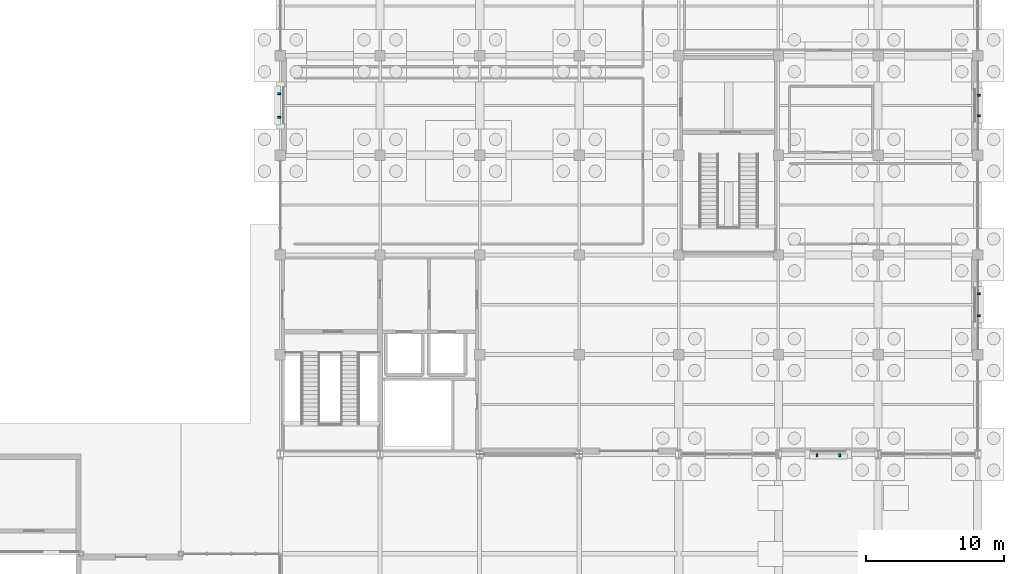
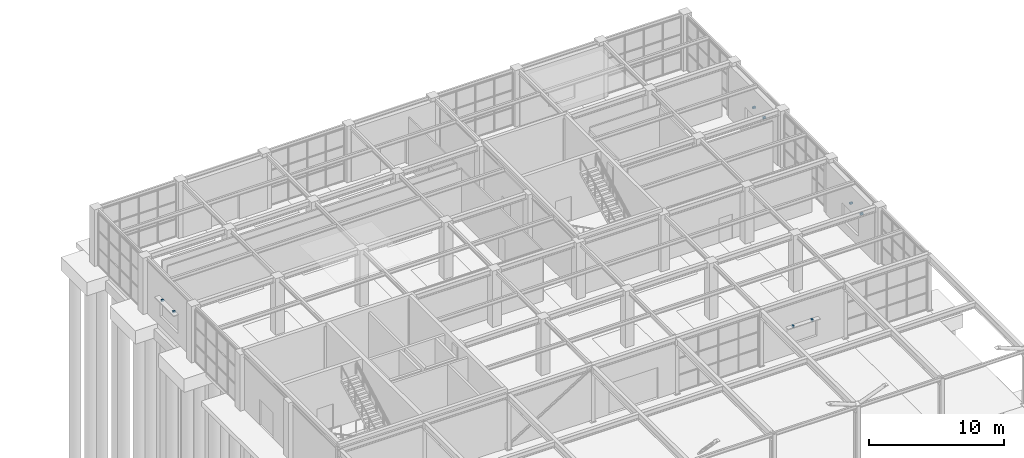
# One storey, part 69 of 75: 8 discrete accessories.
"""IFC4 building model written with IfcOpenShell, lengths in metres."""

from ifc_helpers import new_model, si_unit, direction, frame, origin, origin_2d, place, context, subcontext, project, spatial, rectangle, extrude, material, type_object, element, save


model = new_model("IFC4")

# Units and contexts
model_context = context("Model", 3, precision=1e-05, world=origin(), true_north=direction((0.0, 1.0)))
body_context = subcontext(model_context, "Body", "Model", "MODEL_VIEW")
ifc_project = project(units=[si_unit("LENGTHUNIT", "METRE"), si_unit("AREAUNIT", "SQUARE_METRE"), si_unit("VOLUMEUNIT", "CUBIC_METRE"), si_unit("PLANEANGLEUNIT", "RADIAN"), si_unit("MASSUNIT", "GRAM", prefix="KILO")], contexts=[model_context])

# Site, building, storey
site_placement = place(None, origin())
site = spatial("IfcSite", under=ifc_project, at=site_placement, CompositionType="ELEMENT")
building_placement = place(site_placement, origin())
building = spatial("IfcBuilding", under=site, at=building_placement, Name="Leyfeld Transit Interchange", CompositionType="ELEMENT")
storey_placement = place(building_placement, origin())
storey = spatial("IfcBuildingStorey", under=building, at=storey_placement, Name="L00", CompositionType="ELEMENT", Elevation=0.0)

# Discrete accessories
ifc_material = material(Name="Galvanised steel S275JR", Category="steel")
discrete_accessory_type = type_object("IfcDiscreteAccessoryType", Name="ACC-BRK-STL", PredefinedType="BRACKET", material=ifc_material)
for number, where, z_axis, x_axis, name in (
    (1, (187.280029296875, 83.552001953125, 2.3798828125), (0.0, 0.0, 1.0), (0.0, -1.0, 0.0), "Solar Fin Bracket 008L"),
    (2, (187.280029296875, 82.048095703125, 2.3798828125), (0.0, 0.0, 1.0), (0.0, -1.0, 0.0), "Solar Fin Bracket 008R"),
    (3, (187.280029296875, 69.18408203125, 2.43017578125), (0.0, 0.0, 1.0), (0.0, -1.0, 0.0), "Solar Fin Bracket 009L"),
    (4, (187.280029296875, 67.615966796875, 2.43017578125), (0.0, 0.0, 1.0), (0.0, -1.0, 0.0), "Solar Fin Bracket 009R"),
    (5, (177.216064453125, 57.52001953125, 2.47998046875), (0.0, 0.0, 1.0), (-1.0, 0.0, 0.0), "Solar Fin Bracket 010L"),
    (6, (175.583984375, 57.52001953125, 2.47998046875), (0.0, 0.0, 1.0), (-1.0, 0.0, 0.0), "Solar Fin Bracket 010R"),
    (7, (136.719970703125, 81.951904296875, 2.580078125), (0.0, 0.0, 1.0), (0.0, 1.0, 0.0), "Solar Fin Bracket 011L"),
    (8, (136.719970703125, 83.64794921875, 2.580078125), (0.0, 0.0, 1.0), (0.0, 1.0, 0.0), "Solar Fin Bracket 011R"),
):
    element("IfcDiscreteAccessory", number, at=place(storey_placement, frame(where, z_axis=z_axis, x_axis=x_axis)), inside=storey, type_object=discrete_accessory_type, Name=name, PredefinedType="BRACKET", context=body_context, shape_type="SweptSolid", body=[
        extrude(rectangle(XDim=0.139892578125, YDim=0.239990234375, at=origin_2d()), origin(), (0.0, 0.0, 1.0), 0.159912109375),
    ])

save(model, "model.ifc")
